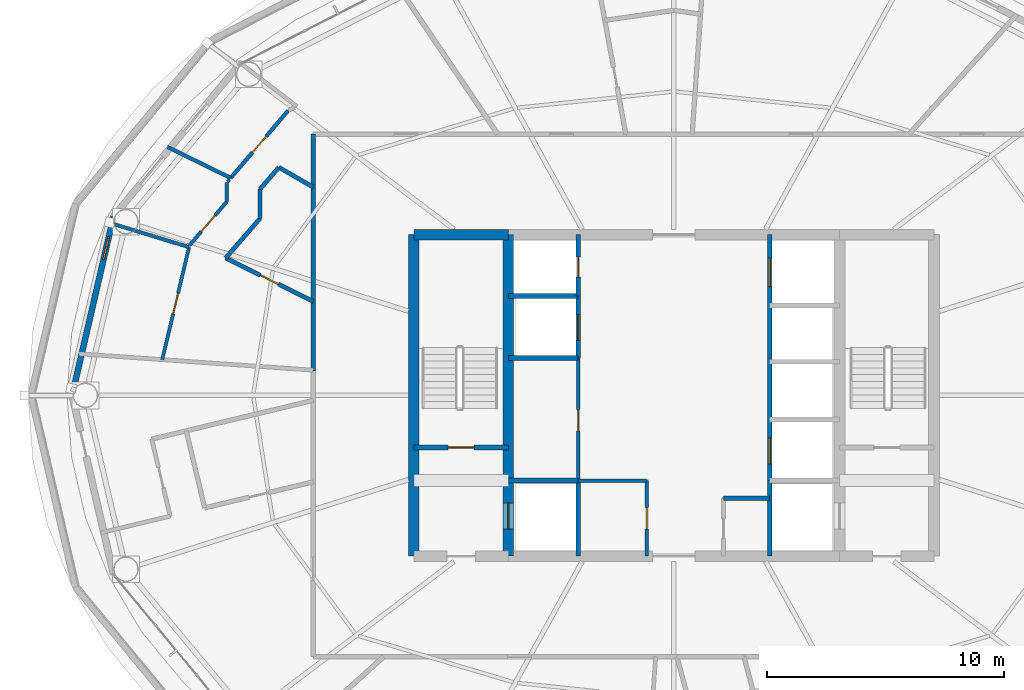
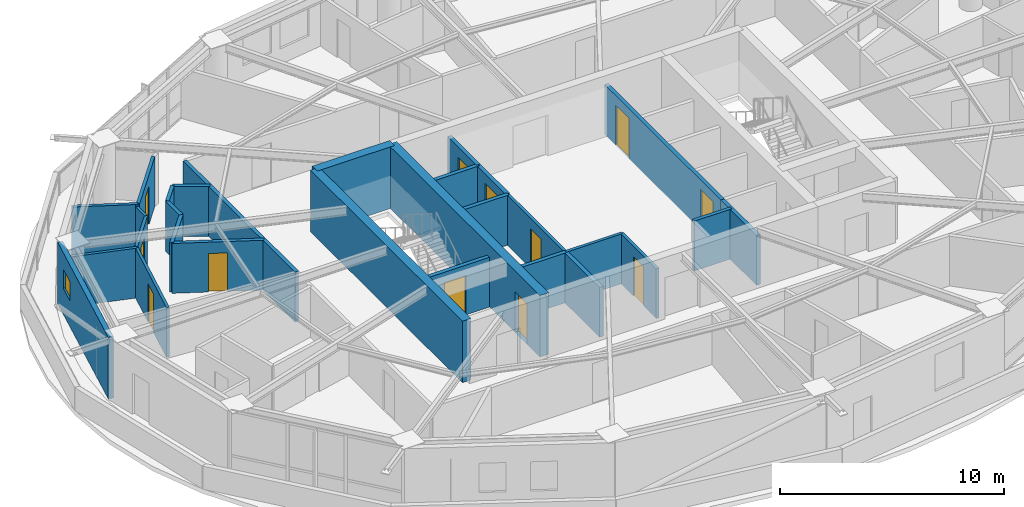
# One storey, part 16 of 22: 30 walls, 12 doors, 1 window, 13 openings.
"""IFC4 building model written with IfcOpenShell, lengths in metres."""

from ifc_helpers import new_model, si_unit, direction, frame, frame_2d, origin, place, context, subcontext, project, spatial, rectangle, extrude, material, layer, layer_set, type_object, element, fill, save


model = new_model("IFC4")

# Units and contexts
model_context = context("Model", 3, precision=1e-05, world=origin(), true_north=direction((0.0, 1.0)))
body_context = subcontext(model_context, "Body", "Model", "MODEL_VIEW")
ifc_project = project(units=[si_unit("LENGTHUNIT", "METRE"), si_unit("AREAUNIT", "SQUARE_METRE"), si_unit("VOLUMEUNIT", "CUBIC_METRE"), si_unit("PLANEANGLEUNIT", "RADIAN"), si_unit("MASSUNIT", "GRAM", prefix="KILO")], contexts=[model_context])

# Site, building, storey
site_placement = place(None, origin())
site = spatial("IfcSite", under=ifc_project, at=site_placement, CompositionType="ELEMENT")
building_placement = place(site_placement, origin())
building = spatial("IfcBuilding", under=site, at=building_placement, Name="Sarneth Arch Tower", CompositionType="ELEMENT")
storey_placement = place(building_placement, frame((0.0, 0.0, 206.39990234375)))
storey = spatial("IfcBuildingStorey", under=building, at=storey_placement, Name="L52", CompositionType="ELEMENT", Elevation=206.39990234375)

# Walls
ifc_material_1 = material(Name="Concrete C50/60", Category="concrete")
ifc_layer_1 = layer(ifc_material_1, 0.449951171875)
ifc_layer_set_1 = layer_set([ifc_layer_1], Name="Concrete C50/60")
wall_type_1 = type_object("IfcWallType", Name="WALL-CORE-450", PredefinedType="SHEAR", material=ifc_layer_set_1)
wall_1_placement = place(storey_placement, frame((37.0, 48.800048828125, 0.0), z_axis=(0.0, 0.0, 1.0), x_axis=(1.0, 0.0, 0.0)))
element("IfcWall", 1, at=wall_1_placement, inside=storey, type_object=wall_type_1, Name="L52 Core shear wall N-W", PredefinedType="SHEAR", context=body_context, shape_type="SweptSolid", body=[
    extrude(rectangle(XDim=4.0, YDim=0.449951171875, at=frame_2d((2.0, 0.0))), origin(), (0.0, 0.0, 1.0), 3.360107421875),
])
wall_2_placement = place(storey_placement, frame((37.0, 35.199951171875, 0.0), z_axis=(0.0, 0.0, 1.0), x_axis=(0.0, 1.0, 0.0)))
element("IfcWall", 2, at=wall_2_placement, inside=storey, type_object=wall_type_1, Name="L52 Core shear wall W", PredefinedType="SHEAR", context=body_context, shape_type="SweptSolid", body=[
    extrude(rectangle(XDim=13.60009765625, YDim=0.449951171875, at=frame_2d((6.800048828125, 0.0))), origin(), (0.0, 0.0, 1.0), 3.360107421875),
])

# Wall, opening, door
wall_3_placement = place(storey_placement, frame((41.0, 35.199951171875, 0.0), z_axis=(0.0, 0.0, 1.0), x_axis=(0.0, 1.0, 0.0)))
wall_3 = element("IfcWall", 3, at=wall_3_placement, inside=storey, type_object=wall_type_1, Name="L52 Core shear wall WEB-W", PredefinedType="SHEAR", context=body_context, shape_type="SweptSolid", body=[
    extrude(rectangle(XDim=13.60009765625, YDim=0.449951171875, at=frame_2d((6.800048828125, 0.0))), origin(), (0.0, 0.0, 1.0), 3.360107421875),
])
opening_1_placement = place(wall_3_placement, frame((1.14990234375, 0.0, 0.0)))
opening_1 = element("IfcOpeningElement", 4, at=opening_1_placement, cuts=wall_3, Name="Opening LD-1", PredefinedType="OPENING", context=body_context, shape_type="SweptSolid", body=[
    extrude(rectangle(XDim=1.10009765625, YDim=2.199951171875, at=frame_2d((0.550048828125, 1.10009765625))), frame((0.0, 0.23486328125, 0.0), z_axis=(0.0, -1.0, 0.0), x_axis=(1.0, 0.0, 0.0)), (0.0, 0.0, 1.0), 0.469970703125),
])
ifc_material_2 = material(Name="Brushed Stainless Steel 304 lift landing door", Category="steel")
door_type_1 = type_object("IfcDoorType", Name="DR-LIFT-SLIDE-1100", OperationType="SLIDING_TO_LEFT", PredefinedType="DOOR", material=ifc_material_2)
door_1_placement = place(opening_1_placement, origin())
door_1 = element("IfcDoor", 5, at=door_1_placement, inside=storey, type_object=door_type_1, Name="L52 Firefighting lift landing door FL-1", OperationType="SLIDING_TO_LEFT", OverallHeight=2.199951171875, OverallWidth=1.10009765625, PredefinedType="DOOR", context=body_context, shape_type="SweptSolid", body=[
    extrude(rectangle(XDim=1.10009765625, YDim=2.199951171875, at=frame_2d((0.550048828125, 1.10009765625))), frame((0.0, 0.02490234375, 0.0), z_axis=(0.0, -1.0, 0.0), x_axis=(1.0, 0.0, 0.0)), (0.0, 0.0, 1.0), 0.050048828125),
])
fill(opening_1, door_1)

# Wall
ifc_material_3 = material(Name="Double steel-stud corridor fire wall", Category="steel")
ifc_layer_2 = layer(ifc_material_3, 0.18994140625)
ifc_layer_set_2 = layer_set([ifc_layer_2], Name="Double steel-stud corridor fire wall")
wall_type_2 = type_object("IfcWallType", Name="WALL-CORR-190", PredefinedType="PARTITIONING", material=ifc_layer_set_2)
wall_4_placement = place(storey_placement, frame((32.75, 43.0341796875, 0.0), z_axis=(0.0, 0.0, 1.0), x_axis=(0.0, 1.0, 0.0)))
element("IfcWall", 6, at=wall_4_placement, inside=storey, type_object=wall_type_2, Name="L52 Interior partition W-L52-TP-011", PredefinedType="PARTITIONING", context=body_context, shape_type="SweptSolid", body=[
    extrude(rectangle(XDim=10.015869140625, YDim=0.18994140625, at=frame_2d((5.0078125, 0.0))), origin(), (0.0, 0.0, 1.0), 2.72021484375),
])

# Wall, opening, window
ifc_material_4 = material(Name="Extruded terracotta rainscreen on Concrete C40/50 backing", Category="masonry")
ifc_layer_3 = layer(ifc_material_4, 0.25)
ifc_layer_set_3 = layer_set([ifc_layer_3], Name="Extruded terracotta rainscreen on Concrete C40/50 backing")
wall_type_3 = type_object("IfcWallType", Name="WALL-EXT-SPAND-250", PredefinedType="SOLIDWALL", material=ifc_layer_set_3)
wall_5_placement = place(storey_placement, frame((24.30615234375, 49.569580078125, 0.0), z_axis=(0.0, 0.0, 1.0), x_axis=(-0.225635078214, -0.974211892495, 0.0)))
wall_5 = element("IfcWall", 7, at=wall_5_placement, inside=storey, type_object=wall_type_3, Name="L52 Terracotta perimeter wall 08", PredefinedType="SOLIDWALL", context=body_context, shape_type="SweptSolid", body=[
    extrude(rectangle(XDim=7.77001953125, YDim=0.25, at=frame_2d((3.885009765625, 0.0))), origin(), (0.0, 0.0, 1.0), 3.360107421875),
])
opening_2_placement = place(wall_5_placement, frame((0.877685546875, 0.0, 1.419921875)))
opening_2 = element("IfcOpeningElement", 8, at=opening_2_placement, cuts=wall_5, Name="Opening W-14", PredefinedType="OPENING", context=body_context, shape_type="SweptSolid", body=[
    extrude(rectangle(XDim=1.0, YDim=1.050048828125, at=frame_2d((0.5, 0.52490234375))), frame((0.0, 0.135009765625, 0.0), z_axis=(0.0, -1.0, 0.0), x_axis=(1.0, 0.0, 0.0)), (0.0, 0.0, 1.0), 0.27001953125),
])
ifc_material_5 = material(Name="Thermally broken Aluminium 6063-T6 and low-e laminated IGU", Category="aluminium")
window_type = type_object("IfcWindowType", Name="WIN-TWR-1000x1050", PartitioningType="SINGLE_PANEL", PredefinedType="WINDOW", material=ifc_material_5)
window_placement = place(opening_2_placement, origin())
window = element("IfcWindow", 9, at=window_placement, inside=storey, type_object=window_type, Name="L52 Dwelling bedroom window 01", OverallHeight=1.050048828125, OverallWidth=1.0, PartitioningType="SINGLE_PANEL", PredefinedType="WINDOW", context=body_context, shape_type="SweptSolid", body=[
    extrude(rectangle(XDim=1.0, YDim=1.050048828125, at=frame_2d((0.5, 0.52490234375))), frame((0.0, 0.030029296875, 0.0), z_axis=(0.0, -1.0, 0.0), x_axis=(1.0, 0.0, 0.0)), (0.0, 0.0, 1.0), 0.06005859375),
])
fill(opening_2, window)

# Wall, opening, door
ifc_material_6 = material(Name="Apartment internal stud partition", Category="gypsum")
ifc_layer_4 = layer(ifc_material_6, 0.139892578125)
ifc_layer_set_4 = layer_set([ifc_layer_4], Name="Apartment internal stud partition")
wall_type_4 = type_object("IfcWallType", Name="WALL-PART-140", PredefinedType="PARTITIONING", material=ifc_layer_set_4)
wall_6_placement = place(storey_placement, frame((27.50048828125, 48.267333984375, 0.0), z_axis=(0.0, 0.0, 1.0), x_axis=(-0.232297954947, -0.972644673109, 0.0)))
wall_6 = element("IfcWall", 10, at=wall_6_placement, inside=storey, type_object=wall_type_4, Name="L52 Interior partition W-L52-TP-050", PredefinedType="PARTITIONING", context=body_context, shape_type="SweptSolid", body=[
    extrude(rectangle(XDim=4.88818359375, YDim=0.139892578125, at=frame_2d((2.444091796875, 0.0))), origin(), (0.0, 0.0, 1.0), 2.72021484375),
])
opening_3_placement = place(wall_6_placement, frame((1.994140625, 0.0, 0.0)))
opening_3 = element("IfcOpeningElement", 11, at=opening_3_placement, cuts=wall_6, Name="Opening ID-01", PredefinedType="OPENING", context=body_context, shape_type="SweptSolid", body=[
    extrude(rectangle(XDim=0.89990234375, YDim=2.10009765625, at=frame_2d((0.449951171875, 1.050048828125))), frame((0.0, 0.079833984375, 0.0), z_axis=(0.0, -1.0, 0.0), x_axis=(1.0, 0.0, 0.0)), (0.0, 0.0, 1.0), 0.159912109375),
])
ifc_material_7 = material(Name="Engineered hardwood flush door", Category="wood")
door_type_2 = type_object("IfcDoorType", Name="DR-INT-900", OperationType="SINGLE_SWING_LEFT", PredefinedType="DOOR", material=ifc_material_7)
door_2_placement = place(opening_3_placement, origin())
door_2 = element("IfcDoor", 12, at=door_2_placement, inside=storey, type_object=door_type_2, Name="L52 Interior door DR-L52-U4-BED2", OperationType="SINGLE_SWING_RIGHT", OverallHeight=2.10009765625, OverallWidth=0.89990234375, PredefinedType="DOOR", context=body_context, shape_type="SweptSolid", body=[
    extrude(rectangle(XDim=0.89990234375, YDim=2.10009765625, at=frame_2d((0.449951171875, 1.050048828125))), frame((0.0, 0.02490234375, 0.0), z_axis=(0.0, -1.0, 0.0), x_axis=(1.0, 0.0, 0.0)), (0.0, 0.0, 1.0), 0.050048828125),
])
fill(opening_3, door_2)

ifc_material_8 = material(Name="Acoustic gypsum stud partition", Category="gypsum")
ifc_layer_5 = layer(ifc_material_8, 0.14990234375)
ifc_layer_set_5 = layer_set([ifc_layer_5], Name="Acoustic gypsum stud partition")
wall_type_5 = type_object("IfcWallType", Name="WALL-PART-150", PredefinedType="PARTITIONING", material=ifc_layer_set_5)
wall_7_placement = place(storey_placement, frame((43.949951171875, 38.39990234375, 0.0), z_axis=(0.0, 0.0, 1.0), x_axis=(0.0, 1.0, 0.0)))
wall_7 = element("IfcWall", 13, at=wall_7_placement, inside=storey, type_object=wall_type_5, Name="L52 Interior partition W-L52-RECPL-E", PredefinedType="PARTITIONING", context=body_context, shape_type="SweptSolid", body=[
    extrude(rectangle(XDim=5.18017578125, YDim=0.14990234375, at=frame_2d((2.590087890625, 0.0))), origin(), (0.0, 0.0, 1.0), 2.72021484375),
])
opening_4_placement = place(wall_7_placement, frame((2.10009765625, 0.0, 0.0)))
opening_4 = element("IfcOpeningElement", 14, at=opening_4_placement, cuts=wall_7, Name="Opening FD-10", PredefinedType="OPENING", context=body_context, shape_type="SweptSolid", body=[
    extrude(rectangle(XDim=0.89990234375, YDim=2.14990234375, at=frame_2d((0.449951171875, 1.074951171875))), frame((0.0, 0.0849609375, 0.0), z_axis=(0.0, -1.0, 0.0), x_axis=(1.0, 0.0, 0.0)), (0.0, 0.0, 1.0), 0.169921875),
])
ifc_material_9 = material(Name="Galvanised Steel S275 riser/service fire door", Category="steel")
door_type_3 = type_object("IfcDoorType", Name="DR-FD60-900", OperationType="SINGLE_SWING_LEFT", PredefinedType="DOOR", material=ifc_material_9)
door_3_placement = place(opening_4_placement, origin())
door_3 = element("IfcDoor", 15, at=door_3_placement, inside=storey, type_object=door_type_3, Name="L52 Interior door DR-L52-RECPL1", OperationType="SINGLE_SWING_LEFT", OverallHeight=2.14990234375, OverallWidth=0.89990234375, PredefinedType="DOOR", context=body_context, shape_type="SweptSolid", body=[
    extrude(rectangle(XDim=0.89990234375, YDim=2.14990234375, at=frame_2d((0.449951171875, 1.074951171875))), frame((0.0, 0.02490234375, 0.0), z_axis=(0.0, -1.0, 0.0), x_axis=(1.0, 0.0, 0.0)), (0.0, 0.0, 1.0), 0.050048828125),
])
fill(opening_4, door_3)

# Wall
wall_8_placement = place(storey_placement, frame((43.949951171875, 38.39990234375, 0.0), z_axis=(0.0, 0.0, 1.0), x_axis=(1.0, 0.0, 0.0)))
element("IfcWall", 16, at=wall_8_placement, inside=storey, type_object=wall_type_5, Name="L52 Interior partition W-L52-CSUP1-N", PredefinedType="PARTITIONING", context=body_context, shape_type="SweptSolid", body=[
    extrude(rectangle(XDim=2.900146484375, YDim=0.14990234375, at=frame_2d((1.4501953125, 0.0))), origin(), (0.0, 0.0, 1.0), 2.72021484375),
])

# Wall, opening, door
wall_9_placement = place(storey_placement, frame((46.85009765625, 35.199951171875, 0.0), z_axis=(0.0, 0.0, 1.0), x_axis=(0.0, 1.0, 0.0)))
wall_9 = element("IfcWall", 17, at=wall_9_placement, inside=storey, type_object=wall_type_5, Name="L52 Interior partition W-L52-CSUP1-E", PredefinedType="PARTITIONING", context=body_context, shape_type="SweptSolid", body=[
    extrude(rectangle(XDim=3.199951171875, YDim=0.14990234375, at=frame_2d((1.60009765625, 0.0))), origin(), (0.0, 0.0, 1.0), 2.72021484375),
])
opening_5_placement = place(wall_9_placement, frame((1.14990234375, 0.0, 0.0)))
opening_5 = element("IfcOpeningElement", 18, at=opening_5_placement, cuts=wall_9, Name="Opening FD-10", PredefinedType="OPENING", context=body_context, shape_type="SweptSolid", body=[
    extrude(rectangle(XDim=0.89990234375, YDim=2.14990234375, at=frame_2d((0.449951171875, 1.074951171875))), frame((0.0, 0.0849609375, 0.0), z_axis=(0.0, -1.0, 0.0), x_axis=(1.0, 0.0, 0.0)), (0.0, 0.0, 1.0), 0.169921875),
])
door_4_placement = place(opening_5_placement, origin())
door_4 = element("IfcDoor", 19, at=door_4_placement, inside=storey, type_object=door_type_3, Name="L52 Interior door DR-L52-CSUP1", OperationType="SINGLE_SWING_LEFT", OverallHeight=2.14990234375, OverallWidth=0.89990234375, PredefinedType="DOOR", context=body_context, shape_type="SweptSolid", body=[
    extrude(rectangle(XDim=0.89990234375, YDim=2.14990234375, at=frame_2d((0.449951171875, 1.074951171875))), frame((0.0, 0.02490234375, 0.0), z_axis=(0.0, -1.0, 0.0), x_axis=(1.0, 0.0, 0.0)), (0.0, 0.0, 1.0), 0.050048828125),
])
fill(opening_5, door_4)

# Wall
wall_10_placement = place(storey_placement, frame((27.50048828125, 48.267333984375, 0.0), z_axis=(0.0, 0.0, 1.0), x_axis=(-0.956303289689, 0.292376500647, 0.0)))
element("IfcWall", 20, at=wall_10_placement, inside=storey, type_object=wall_type_5, Name="L52 Interior partition W-L52-TP-053", PredefinedType="PARTITIONING", context=body_context, shape_type="SweptSolid", body=[
    extrude(rectangle(XDim=3.53369140625, YDim=0.14990234375, at=frame_2d((1.766845703125, 0.0))), origin(), (0.0, 0.0, 1.0), 2.72021484375),
])

# Wall, opening, door
wall_11_placement = place(storey_placement, frame((29.10009765625, 50.197021484375, 0.0), z_axis=(0.0, 0.0, 1.0), x_axis=(-0.649270866973, -0.760557257082, 0.0)))
wall_11 = element("IfcWall", 21, at=wall_11_placement, inside=storey, type_object=wall_type_5, Name="L52 Interior partition W-L52-TP-049", PredefinedType="PARTITIONING", context=body_context, shape_type="SweptSolid", body=[
    extrude(rectangle(XDim=2.43505859375, YDim=0.14990234375, at=frame_2d((1.217529296875, 0.0))), origin(), (0.0, 0.0, 1.0), 2.72021484375),
])
opening_6_placement = place(wall_11_placement, frame((0.767578125, 0.0, 0.0)))
opening_6 = element("IfcOpeningElement", 22, at=opening_6_placement, cuts=wall_11, Name="Opening ID-01", PredefinedType="OPENING", context=body_context, shape_type="SweptSolid", body=[
    extrude(rectangle(XDim=0.89990234375, YDim=2.10009765625, at=frame_2d((0.449951171875, 1.050048828125))), frame((0.0, 0.0849609375, 0.0), z_axis=(0.0, -1.0, 0.0), x_axis=(1.0, 0.0, 0.0)), (0.0, 0.0, 1.0), 0.169921875),
])
door_5_placement = place(opening_6_placement, origin())
door_5 = element("IfcDoor", 23, at=door_5_placement, inside=storey, type_object=door_type_2, Name="L52 Interior door DR-L52-U4-BED1", OperationType="SINGLE_SWING_LEFT", OverallHeight=2.10009765625, OverallWidth=0.89990234375, PredefinedType="DOOR", context=body_context, shape_type="SweptSolid", body=[
    extrude(rectangle(XDim=0.89990234375, YDim=2.10009765625, at=frame_2d((0.449951171875, 1.050048828125))), frame((0.0, 0.02490234375, 0.0), z_axis=(0.0, -1.0, 0.0), x_axis=(1.0, 0.0, 0.0)), (0.0, 0.0, 1.0), 0.050048828125),
])
fill(opening_6, door_5)

# Walls
wall_12_placement = place(storey_placement, frame((29.10009765625, 51.007080078125, 0.0), z_axis=(0.0, 0.0, 1.0), x_axis=(0.0, -1.0, 0.0)))
element("IfcWall", 24, at=wall_12_placement, inside=storey, type_object=wall_type_5, Name="L52 Interior partition W-L52-TP-048", PredefinedType="PARTITIONING", context=body_context, shape_type="SweptSolid", body=[
    extrude(rectangle(XDim=0.81005859375, YDim=0.14990234375, at=frame_2d((0.405029296875, 0.0))), origin(), (0.0, 0.0, 1.0), 2.72021484375),
])
wall_13_placement = place(storey_placement, frame((29.201416015625, 51.125732421875, 0.0), z_axis=(0.0, 0.0, 1.0), x_axis=(-0.649232735888, -0.760589807092, 0.0)))
element("IfcWall", 25, at=wall_13_placement, inside=storey, type_object=wall_type_5, Name="L52 Interior partition W-L52-TP-047", PredefinedType="PARTITIONING", context=body_context, shape_type="SweptSolid", body=[
    extrude(rectangle(XDim=0.1162109375, YDim=0.14990234375, at=frame_2d((0.05810546875, 0.0))), origin(), (0.0, 0.0, 1.0), 2.72021484375),
])

# Wall, opening, door
ifc_material_10 = material(Name="Kitchen wet service chase wall", Category="gypsum")
ifc_layer_6 = layer(ifc_material_10, 0.159912109375)
ifc_layer_set_6 = layer_set([ifc_layer_6], Name="Kitchen wet service chase wall")
wall_type_6 = type_object("IfcWallType", Name="WALL-PLUMB-160", PredefinedType="PLUMBINGWALL", material=ifc_layer_set_6)
wall_14_placement = place(storey_placement, frame((31.68896484375, 54.0419921875, 0.0), z_axis=(0.0, 0.0, 1.0), x_axis=(-0.648996547252, -0.760791352248, 0.0)))
wall_14 = element("IfcWall", 26, at=wall_14_placement, inside=storey, type_object=wall_type_6, Name="L52 Interior partition W-L52-TP-041", PredefinedType="PLUMBINGWALL", context=body_context, shape_type="SweptSolid", body=[
    extrude(rectangle(XDim=3.745361328125, YDim=0.159912109375, at=frame_2d((1.87255859375, 0.0))), origin(), (0.0, 0.0, 1.0), 2.72021484375),
])
opening_7_placement = place(wall_14_placement, frame((1.422607421875, 0.0, 0.0)))
opening_7 = element("IfcOpeningElement", 27, at=opening_7_placement, cuts=wall_14, Name="Opening ID-01", PredefinedType="OPENING", context=body_context, shape_type="SweptSolid", body=[
    extrude(rectangle(XDim=0.89990234375, YDim=2.10009765625, at=frame_2d((0.449951171875, 1.050048828125))), frame((0.0, 0.08984375, 0.0), z_axis=(0.0, -1.0, 0.0), x_axis=(1.0, 0.0, 0.0)), (0.0, 0.0, 1.0), 0.179931640625),
])
door_6_placement = place(opening_7_placement, origin())
door_6 = element("IfcDoor", 28, at=door_6_placement, inside=storey, type_object=door_type_2, Name="L52 Interior door DR-L52-U4-KIT", OperationType="SINGLE_SWING_LEFT", OverallHeight=2.10009765625, OverallWidth=0.89990234375, PredefinedType="DOOR", context=body_context, shape_type="SweptSolid", body=[
    extrude(rectangle(XDim=0.89990234375, YDim=2.10009765625, at=frame_2d((0.449951171875, 1.050048828125))), frame((0.0, 0.02490234375, 0.0), z_axis=(0.0, -1.0, 0.0), x_axis=(1.0, 0.0, 0.0)), (0.0, 0.0, 1.0), 0.050048828125),
])
fill(opening_7, door_6)

# Walls
wall_15_placement = place(storey_placement, frame((29.25830078125, 51.192626953125, 0.0), z_axis=(0.0, 0.0, 1.0), x_axis=(-0.897810810902, 0.440381366348, 0.0)))
element("IfcWall", 29, at=wall_15_placement, inside=storey, type_object=wall_type_6, Name="L52 Interior partition W-L52-TP-052", PredefinedType="PLUMBINGWALL", context=body_context, shape_type="SweptSolid", body=[
    extrude(rectangle(XDim=2.978759765625, YDim=0.159912109375, at=frame_2d((1.4892578125, 0.0))), origin(), (0.0, 0.0, 1.0), 2.72021484375),
])
ifc_material_11 = material(Name="Moisture-resistant plumbing chase wall", Category="gypsum")
ifc_layer_7 = layer(ifc_material_11, 0.179931640625)
ifc_layer_set_7 = layer_set([ifc_layer_7], Name="Moisture-resistant plumbing chase wall")
wall_type_7 = type_object("IfcWallType", Name="WALL-PLUMB-180", PredefinedType="PLUMBINGWALL", material=ifc_layer_set_7)
wall_16_placement = place(storey_placement, frame((50.10009765625, 37.64990234375, 0.0), z_axis=(0.0, 0.0, 1.0), x_axis=(1.0, 0.0, 0.0)))
element("IfcWall", 30, at=wall_16_placement, inside=storey, type_object=wall_type_7, Name="L52 Interior partition W-L52-AWC-N", PredefinedType="PLUMBINGWALL", context=body_context, shape_type="SweptSolid", body=[
    extrude(rectangle(XDim=1.949951171875, YDim=0.179931640625, at=frame_2d((0.97509765625, 0.0))), origin(), (0.0, 0.0, 1.0), 2.72021484375),
])

# Wall, opening, door
wall_17_placement = place(storey_placement, frame((29.0458984375, 47.809326171875, 0.0), z_axis=(0.0, 0.0, 1.0), x_axis=(0.895675225239, -0.444708770876, 0.0)))
wall_17 = element("IfcWall", 31, at=wall_17_placement, inside=storey, type_object=wall_type_7, Name="L52 Interior partition W-L52-TP-046", PredefinedType="PLUMBINGWALL", context=body_context, shape_type="SweptSolid", body=[
    extrude(rectangle(XDim=4.135498046875, YDim=0.179931640625, at=frame_2d((2.06787109375, 0.0))), origin(), (0.0, 0.0, 1.0), 2.72021484375),
])
opening_8_placement = place(wall_17_placement, frame((1.642822265625, 0.0, 0.0)))
opening_8 = element("IfcOpeningElement", 32, at=opening_8_placement, cuts=wall_17, Name="Opening ID-02", PredefinedType="OPENING", context=body_context, shape_type="SweptSolid", body=[
    extrude(rectangle(XDim=0.85009765625, YDim=2.10009765625, at=frame_2d((0.425048828125, 1.050048828125))), frame((0.0, 0.099853515625, 0.0), z_axis=(0.0, -1.0, 0.0), x_axis=(1.0, 0.0, 0.0)), (0.0, 0.0, 1.0), 0.199951171875),
])
ifc_material_12 = material(Name="Moisture-resistant bathroom timber door", Category="wood")
door_type_4 = type_object("IfcDoorType", Name="DR-INT-850", OperationType="SINGLE_SWING_RIGHT", PredefinedType="DOOR", material=ifc_material_12)
door_7_placement = place(opening_8_placement, origin())
door_7 = element("IfcDoor", 33, at=door_7_placement, inside=storey, type_object=door_type_4, Name="L52 Interior door DR-L52-U4-BATH", OperationType="SINGLE_SWING_RIGHT", OverallHeight=2.10009765625, OverallWidth=0.85009765625, PredefinedType="DOOR", context=body_context, shape_type="SweptSolid", body=[
    extrude(rectangle(XDim=0.85009765625, YDim=2.10009765625, at=frame_2d((0.425048828125, 1.050048828125))), frame((0.0, 0.02490234375, 0.0), z_axis=(0.0, -1.0, 0.0), x_axis=(1.0, 0.0, 0.0)), (0.0, 0.0, 1.0), 0.050048828125),
])
fill(opening_8, door_7)

# Walls
wall_18_placement = place(storey_placement, frame((30.5, 49.480712890625, 0.0), z_axis=(0.0, 0.0, 1.0), x_axis=(-0.656364223854, -0.754444169998, 0.0)))
element("IfcWall", 34, at=wall_18_placement, inside=storey, type_object=wall_type_7, Name="L52 Interior partition W-L52-TP-045", PredefinedType="PLUMBINGWALL", context=body_context, shape_type="SweptSolid", body=[
    extrude(rectangle(XDim=2.21533203125, YDim=0.179931640625, at=frame_2d((1.107666015625, 0.0))), origin(), (0.0, 0.0, 1.0), 2.72021484375),
])
wall_19_placement = place(storey_placement, frame((32.75, 50.8046875, 0.0), z_axis=(0.0, 0.0, 1.0), x_axis=(-0.866013522419, 0.500020578564, 0.0)))
element("IfcWall", 35, at=wall_19_placement, inside=storey, type_object=wall_type_7, Name="L52 Interior partition W-L52-TP-042", PredefinedType="PLUMBINGWALL", context=body_context, shape_type="SweptSolid", body=[
    extrude(rectangle(XDim=1.677734375, YDim=0.179931640625, at=frame_2d((0.8388671875, 0.0))), origin(), (0.0, 0.0, 1.0), 2.72021484375),
])
wall_20_placement = place(storey_placement, frame((30.5, 50.72119140625, 0.0), z_axis=(0.0, 0.0, 1.0), x_axis=(0.0, -1.0, 0.0)))
element("IfcWall", 36, at=wall_20_placement, inside=storey, type_object=wall_type_7, Name="L52 Interior partition W-L52-TP-044", PredefinedType="PLUMBINGWALL", context=body_context, shape_type="SweptSolid", body=[
    extrude(rectangle(XDim=1.240478515625, YDim=0.179931640625, at=frame_2d((0.6201171875, 0.0))), origin(), (0.0, 0.0, 1.0), 2.72021484375),
])
wall_21_placement = place(storey_placement, frame((31.297119140625, 51.6435546875, 0.0), z_axis=(0.0, 0.0, 1.0), x_axis=(-0.653870108477, -0.756606820773, 0.0)))
element("IfcWall", 37, at=wall_21_placement, inside=storey, type_object=wall_type_7, Name="L52 Interior partition W-L52-TP-043", PredefinedType="PLUMBINGWALL", context=body_context, shape_type="SweptSolid", body=[
    extrude(rectangle(XDim=1.218994140625, YDim=0.179931640625, at=frame_2d((0.609375, 0.0))), origin(), (0.0, 0.0, 1.0), 2.72021484375),
])

# Wall, opening, door
ifc_material_13 = material(Name="Aerated concrete blockwork C25/30", Category="masonry")
ifc_layer_8 = layer(ifc_material_13, 0.199951171875)
ifc_layer_set_8 = layer_set([ifc_layer_8], Name="Aerated concrete blockwork C25/30")
wall_type_8 = type_object("IfcWallType", Name="WALL-SHAFT-200", PredefinedType="SOLIDWALL", material=ifc_layer_set_8)
wall_22_placement = place(storey_placement, frame((37.0, 39.800048828125, 0.0), z_axis=(0.0, 0.0, 1.0), x_axis=(1.0, 0.0, 0.0)))
wall_22 = element("IfcWall", 38, at=wall_22_placement, inside=storey, type_object=wall_type_8, Name="L52 Interior partition W-L52-ST1-S", PredefinedType="SOLIDWALL", context=body_context, shape_type="SweptSolid", body=[
    extrude(rectangle(XDim=4.0, YDim=0.199951171875, at=frame_2d((2.0, 0.0))), origin(), (0.0, 0.0, 1.0), 2.72021484375),
])
opening_9_placement = place(wall_22_placement, frame((1.449951171875, 0.0, 0.0)))
opening_9 = element("IfcOpeningElement", 39, at=opening_9_placement, cuts=wall_22, Name="Opening FD-03", PredefinedType="OPENING", context=body_context, shape_type="SweptSolid", body=[
    extrude(rectangle(XDim=1.10009765625, YDim=2.14990234375, at=frame_2d((0.550048828125, 1.074951171875))), frame((0.0, 0.10986328125, 0.0), z_axis=(0.0, -1.0, 0.0), x_axis=(1.0, 0.0, 0.0)), (0.0, 0.0, 1.0), 0.219970703125),
])
ifc_material_14 = material(Name="Galvanised Steel S275 fire door set", Category="steel")
door_type_5 = type_object("IfcDoorType", Name="DR-FD90-1100", OperationType="SINGLE_SWING_LEFT", PredefinedType="DOOR", material=ifc_material_14)
door_8_placement = place(opening_9_placement, origin())
door_8 = element("IfcDoor", 40, at=door_8_placement, inside=storey, type_object=door_type_5, Name="L52 Interior door DR-L52-ST1", OperationType="SINGLE_SWING_LEFT", OverallHeight=2.14990234375, OverallWidth=1.10009765625, PredefinedType="DOOR", context=body_context, shape_type="SweptSolid", body=[
    extrude(rectangle(XDim=1.10009765625, YDim=2.14990234375, at=frame_2d((0.550048828125, 1.074951171875))), frame((0.0, 0.02490234375, 0.0), z_axis=(0.0, -1.0, 0.0), x_axis=(1.0, 0.0, 0.0)), (0.0, 0.0, 1.0), 0.050048828125),
])
fill(opening_9, door_8)

# Walls
wall_23_placement = place(storey_placement, frame((43.949951171875, 35.199951171875, 0.0), z_axis=(0.0, 0.0, 1.0), x_axis=(0.0, 1.0, 0.0)))
element("IfcWall", 41, at=wall_23_placement, inside=storey, type_object=wall_type_8, Name="L52 Interior partition W-L52-FL1-E", PredefinedType="SOLIDWALL", context=body_context, shape_type="SweptSolid", body=[
    extrude(rectangle(XDim=3.199951171875, YDim=0.199951171875, at=frame_2d((1.60009765625, 0.0))), origin(), (0.0, 0.0, 1.0), 2.72021484375),
])
wall_24_placement = place(storey_placement, frame((41.0, 38.39990234375, 0.0), z_axis=(0.0, 0.0, 1.0), x_axis=(1.0, 0.0, 0.0)))
element("IfcWall", 42, at=wall_24_placement, inside=storey, type_object=wall_type_8, Name="L52 Interior partition W-L52-FL1-N", PredefinedType="SOLIDWALL", context=body_context, shape_type="SweptSolid", body=[
    extrude(rectangle(XDim=2.949951171875, YDim=0.199951171875, at=frame_2d((1.47509765625, 0.0))), origin(), (0.0, 0.0, 1.0), 2.72021484375),
])
wall_25_placement = place(storey_placement, frame((52.050048828125, 35.199951171875, 0.0), z_axis=(0.0, 0.0, 1.0), x_axis=(0.0, 1.0, 0.0)))
element("IfcWall", 43, at=wall_25_placement, inside=storey, type_object=wall_type_8, Name="L52 Interior partition W-L52-FL2-W", PredefinedType="SOLIDWALL", context=body_context, shape_type="SweptSolid", body=[
    extrude(rectangle(XDim=3.199951171875, YDim=0.199951171875, at=frame_2d((1.60009765625, 0.0))), origin(), (0.0, 0.0, 1.0), 2.72021484375),
])
wall_26_placement = place(storey_placement, frame((41.0, 46.199951171875, 0.0), z_axis=(0.0, 0.0, 1.0), x_axis=(1.0, 0.0, 0.0)))
element("IfcWall", 44, at=wall_26_placement, inside=storey, type_object=wall_type_8, Name="L52 Interior partition W-L52-RISER-S", PredefinedType="SOLIDWALL", context=body_context, shape_type="SweptSolid", body=[
    extrude(rectangle(XDim=2.949951171875, YDim=0.199951171875, at=frame_2d((1.47509765625, 0.0))), origin(), (0.0, 0.0, 1.0), 2.72021484375),
])

# Wall, opening, door
wall_27_placement = place(storey_placement, frame((43.949951171875, 46.199951171875, 0.0), z_axis=(0.0, 0.0, 1.0), x_axis=(0.0, 1.0, 0.0)))
wall_27 = element("IfcWall", 45, at=wall_27_placement, inside=storey, type_object=wall_type_8, Name="L52 Interior partition W-L52-RISER-E", PredefinedType="SOLIDWALL", context=body_context, shape_type="SweptSolid", body=[
    extrude(rectangle(XDim=2.60009765625, YDim=0.199951171875, at=frame_2d((1.300048828125, 0.0))), origin(), (0.0, 0.0, 1.0), 2.72021484375),
])
opening_10_placement = place(wall_27_placement, frame((0.800048828125, 0.0, 0.0)))
opening_10 = element("IfcOpeningElement", 46, at=opening_10_placement, cuts=wall_27, Name="Opening FD-11", PredefinedType="OPENING", context=body_context, shape_type="SweptSolid", body=[
    extrude(rectangle(XDim=0.85009765625, YDim=2.14990234375, at=frame_2d((0.425048828125, 1.074951171875))), frame((0.0, 0.10986328125, 0.0), z_axis=(0.0, -1.0, 0.0), x_axis=(1.0, 0.0, 0.0)), (0.0, 0.0, 1.0), 0.219970703125),
])
ifc_material_15 = material(Name="Galvanised Steel S275 closet fire door", Category="steel")
door_type_6 = type_object("IfcDoorType", Name="DR-FD60-850", OperationType="SINGLE_SWING_LEFT", PredefinedType="DOOR", material=ifc_material_15)
door_9_placement = place(opening_10_placement, origin())
door_9 = element("IfcDoor", 47, at=door_9_placement, inside=storey, type_object=door_type_6, Name="L52 Lift landing door DR-L52-RISER", OperationType="SINGLE_SWING_LEFT", OverallHeight=2.14990234375, OverallWidth=0.85009765625, PredefinedType="DOOR", context=body_context, shape_type="SweptSolid", body=[
    extrude(rectangle(XDim=0.85009765625, YDim=2.14990234375, at=frame_2d((0.425048828125, 1.074951171875))), frame((0.0, 0.02490234375, 0.0), z_axis=(0.0, -1.0, 0.0), x_axis=(1.0, 0.0, 0.0)), (0.0, 0.0, 1.0), 0.050048828125),
])
fill(opening_10, door_9)

# Wall
wall_28_placement = place(storey_placement, frame((41.0, 43.580078125, 0.0), z_axis=(0.0, 0.0, 1.0), x_axis=(1.0, 0.0, 0.0)))
element("IfcWall", 48, at=wall_28_placement, inside=storey, type_object=wall_type_8, Name="L52 Interior partition W-L52-PM1-S", PredefinedType="SOLIDWALL", context=body_context, shape_type="SweptSolid", body=[
    extrude(rectangle(XDim=2.949951171875, YDim=0.199951171875, at=frame_2d((1.47509765625, 0.0))), origin(), (0.0, 0.0, 1.0), 2.72021484375),
])

# Wall, opening, door
wall_29_placement = place(storey_placement, frame((43.949951171875, 43.580078125, 0.0), z_axis=(0.0, 0.0, 1.0), x_axis=(0.0, 1.0, 0.0)))
wall_29 = element("IfcWall", 49, at=wall_29_placement, inside=storey, type_object=wall_type_8, Name="L52 Interior partition W-L52-PM1-FRONT", PredefinedType="SOLIDWALL", context=body_context, shape_type="SweptSolid", body=[
    extrude(rectangle(XDim=2.619873046875, YDim=0.199951171875, at=frame_2d((1.31005859375, 0.0))), origin(), (0.0, 0.0, 1.0), 2.72021484375),
])
opening_11_placement = place(wall_29_placement, frame((0.75, 0.0, 0.0)))
opening_11 = element("IfcOpeningElement", 50, at=opening_11_placement, cuts=wall_29, Name="Opening LD-1", PredefinedType="OPENING", context=body_context, shape_type="SweptSolid", body=[
    extrude(rectangle(XDim=1.10009765625, YDim=2.199951171875, at=frame_2d((0.550048828125, 1.10009765625))), frame((0.0, 0.10986328125, 0.0), z_axis=(0.0, -1.0, 0.0), x_axis=(1.0, 0.0, 0.0)), (0.0, 0.0, 1.0), 0.219970703125),
])
door_10_placement = place(opening_11_placement, origin())
door_10 = element("IfcDoor", 51, at=door_10_placement, inside=storey, type_object=door_type_1, Name="L52 Lift landing door DR-L52-LD-PM1", OperationType="SLIDING_TO_LEFT", OverallHeight=2.199951171875, OverallWidth=1.10009765625, PredefinedType="DOOR", context=body_context, shape_type="SweptSolid", body=[
    extrude(rectangle(XDim=1.10009765625, YDim=2.199951171875, at=frame_2d((0.550048828125, 1.10009765625))), frame((0.0, 0.02490234375, 0.0), z_axis=(0.0, -1.0, 0.0), x_axis=(1.0, 0.0, 0.0)), (0.0, 0.0, 1.0), 0.050048828125),
])
fill(opening_11, door_10)

# Wall, openings, doors
wall_30_placement = place(storey_placement, frame((52.050048828125, 38.39990234375, 0.0), z_axis=(0.0, 0.0, 1.0), x_axis=(0.0, 1.0, 0.0)))
wall_30 = element("IfcWall", 52, at=wall_30_placement, inside=storey, type_object=wall_type_8, Name="L52 Interior partition W-L52-EASTBANK-FRONT", PredefinedType="SOLIDWALL", context=body_context, shape_type="SweptSolid", body=[
    extrude(rectangle(XDim=10.400146484375, YDim=0.199951171875, at=frame_2d((5.2001953125, 0.0))), origin(), (0.0, 0.0, 1.0), 2.72021484375),
])
opening_12_placement = place(wall_30_placement, frame((0.699951171875, 0.0, 0.0)))
opening_12 = element("IfcOpeningElement", 53, at=opening_12_placement, cuts=wall_30, Name="Opening LD-1", PredefinedType="OPENING", context=body_context, shape_type="SweptSolid", body=[
    extrude(rectangle(XDim=1.10009765625, YDim=2.199951171875, at=frame_2d((0.550048828125, 1.10009765625))), frame((0.0, 0.10986328125, 0.0), z_axis=(0.0, -1.0, 0.0), x_axis=(1.0, 0.0, 0.0)), (0.0, 0.0, 1.0), 0.219970703125),
])
opening_13_placement = place(wall_30_placement, frame((8.199951171875, 0.0, 0.0)))
opening_13 = element("IfcOpeningElement", 54, at=opening_13_placement, cuts=wall_30, Name="Opening LD-2", PredefinedType="OPENING", context=body_context, shape_type="SweptSolid", body=[
    extrude(rectangle(XDim=1.199951171875, YDim=2.199951171875, at=frame_2d((0.60009765625, 1.10009765625))), frame((0.0, 0.10986328125, 0.0), z_axis=(0.0, -1.0, 0.0), x_axis=(1.0, 0.0, 0.0)), (0.0, 0.0, 1.0), 0.219970703125),
])
door_11_placement = place(opening_12_placement, origin())
door_11 = element("IfcDoor", 55, at=door_11_placement, inside=storey, type_object=door_type_1, Name="L52 Lift landing door DR-L52-LD-PM2", OperationType="SLIDING_TO_LEFT", OverallHeight=2.199951171875, OverallWidth=1.10009765625, PredefinedType="DOOR", context=body_context, shape_type="SweptSolid", body=[
    extrude(rectangle(XDim=1.10009765625, YDim=2.199951171875, at=frame_2d((0.550048828125, 1.10009765625))), frame((0.0, 0.02490234375, 0.0), z_axis=(0.0, -1.0, 0.0), x_axis=(1.0, 0.0, 0.0)), (0.0, 0.0, 1.0), 0.050048828125),
])
fill(opening_12, door_11)
ifc_material_16 = material(Name="Brushed Stainless Steel 304 service lift door", Category="steel")
door_type_7 = type_object("IfcDoorType", Name="DR-LIFT-SLIDE-1200", OperationType="SLIDING_TO_RIGHT", PredefinedType="DOOR", material=ifc_material_16)
door_12_placement = place(opening_13_placement, origin())
door_12 = element("IfcDoor", 56, at=door_12_placement, inside=storey, type_object=door_type_7, Name="L52 Lift landing door DR-L52-LD-SL1", OperationType="SLIDING_TO_RIGHT", OverallHeight=2.199951171875, OverallWidth=1.199951171875, PredefinedType="DOOR", context=body_context, shape_type="SweptSolid", body=[
    extrude(rectangle(XDim=1.199951171875, YDim=2.199951171875, at=frame_2d((0.60009765625, 1.10009765625))), frame((0.0, 0.02490234375, 0.0), z_axis=(0.0, -1.0, 0.0), x_axis=(1.0, 0.0, 0.0)), (0.0, 0.0, 1.0), 0.050048828125),
])
fill(opening_13, door_12)

save(model, "model.ifc")
